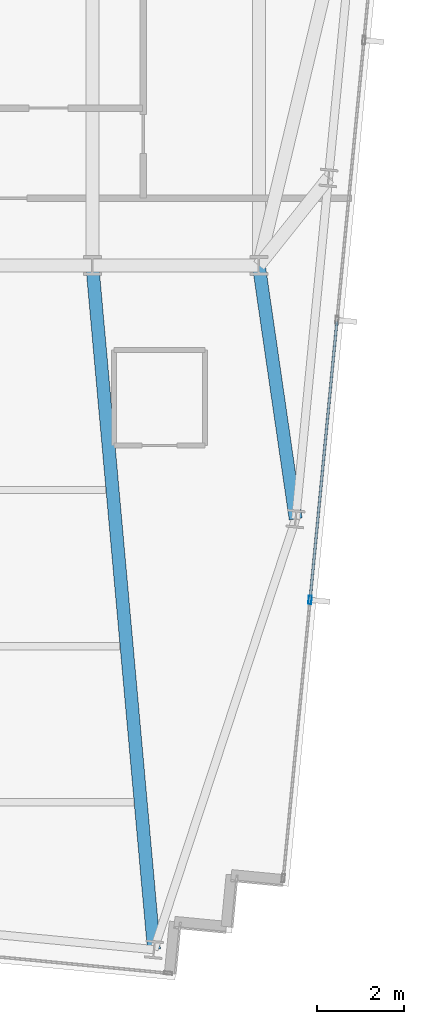
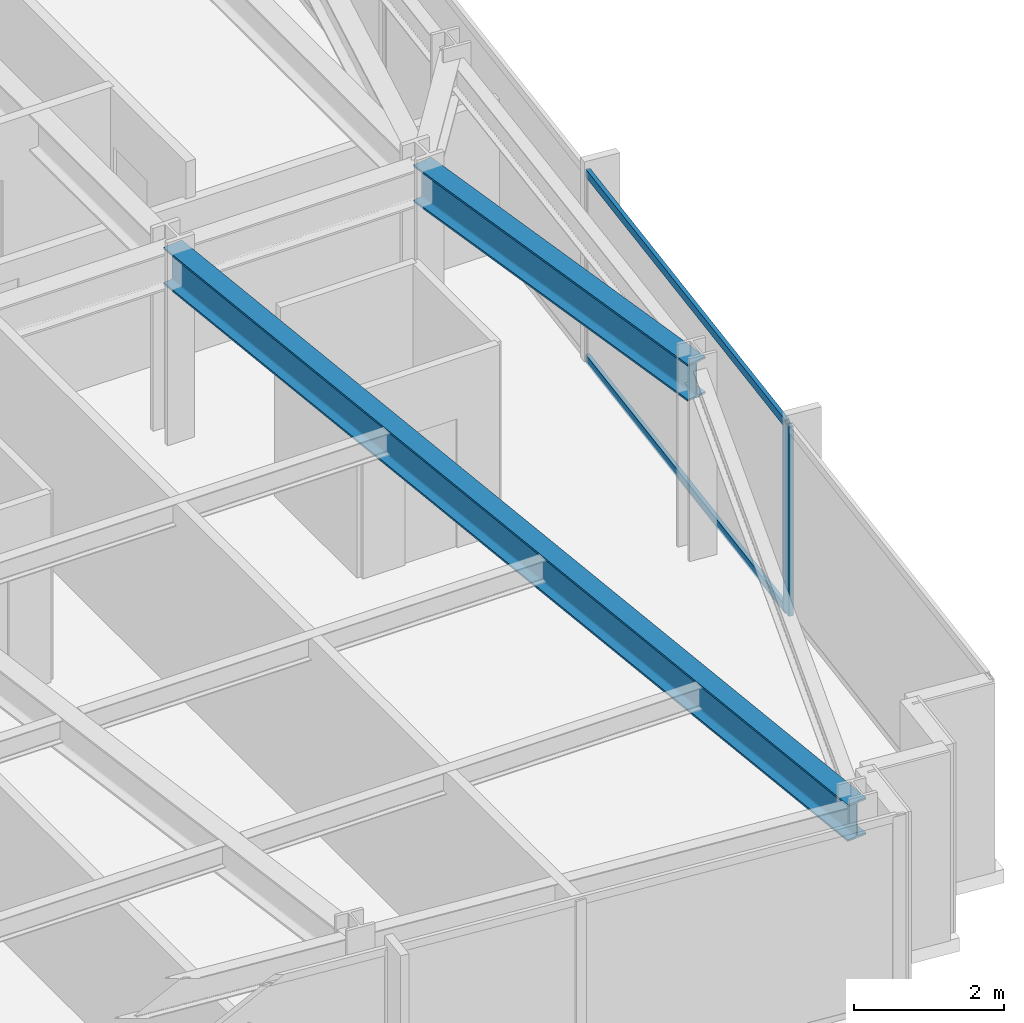
# One storey, part 15 of 37: 3 members, 2 beams, 1 element without a shape of its own.
"""IFC4 building model written with IfcOpenShell, lengths in metres."""

from ifc_helpers import new_model, si_unit, direction, frame, origin, origin_2d, place, context, subcontext, project, spatial, hollow_rectangle, i_section, extrude, material, material_profile, profile_set, type_object, element, aggregate, save


model = new_model("IFC4")

# Units and contexts
model_context = context("Model", 3, precision=1e-05, world=origin(), true_north=direction((0.0, 1.0)))
body_context = subcontext(model_context, "Body", "Model", "MODEL_VIEW")
ifc_project = project(units=[si_unit("LENGTHUNIT", "METRE"), si_unit("AREAUNIT", "SQUARE_METRE"), si_unit("VOLUMEUNIT", "CUBIC_METRE"), si_unit("PLANEANGLEUNIT", "RADIAN"), si_unit("MASSUNIT", "GRAM", prefix="KILO")], contexts=[model_context])

# Site, building, storey
site_placement = place(None, origin())
site = spatial("IfcSite", under=ifc_project, at=site_placement, CompositionType="ELEMENT")
building_placement = place(site_placement, origin())
building = spatial("IfcBuilding", under=site, at=building_placement, Name="Yelkora Congress Tower", CompositionType="ELEMENT")
storey_placement = place(building_placement, frame((0.0, 0.0, 175.39990234375)))
storey = spatial("IfcBuildingStorey", under=building, at=storey_placement, Name="L48", CompositionType="ELEMENT", Elevation=175.39990234375)

# Beams
ifc_material_1 = material(Name="Steel S355J2", Category="steel")
ifc_material_profile_1 = material_profile(ifc_material_1, i_section(OverallWidth=0.300048828125, OverallDepth=0.60009765625, WebThickness=0.015380859375, FlangeThickness=0.030029296875, FilletRadius=0.027099609375, at=origin_2d()), Name="HEB 600")
ifc_profile_set_1 = profile_set([ifc_material_profile_1], Name="Steel S355J2")
beam_type = type_object("IfcBeamType", Name="BM-GIRD-HEB600", PredefinedType="BEAM", material=ifc_profile_set_1)
beam_1_placement = place(storey_placement, frame((55.18212890625, 9.421142578125, 2.780029296875), z_axis=(-0.089764575953, 0.995963011815, 0.0), x_axis=(-0.995963011815, -0.089764575953, 0.0)))
element("IfcBeam", 1, at=beam_1_placement, inside=storey, type_object=beam_type, Name="L48 Primary Frame Girder S08", PredefinedType="BEAM", context=body_context, shape_type="SweptSolid", body=[
    extrude(i_section(OverallWidth=0.300048828125, OverallDepth=0.60009765625, WebThickness=0.015380859375, FlangeThickness=0.030029296875, FilletRadius=0.027099609375, at=origin_2d()), origin(), (0.0, 0.0, 1.0), 15.8427734375),
])
beam_2_placement = place(storey_placement, frame((58.44921875, 19.353759765625, 2.780029296875), z_axis=(-0.143735281382, 0.989616172506, 0.0), x_axis=(-0.989616172506, -0.143735281382, 0.0)))
element("IfcBeam", 2, at=beam_2_placement, inside=storey, type_object=beam_type, Name="L48 Primary Frame Girder E01", PredefinedType="BEAM", context=body_context, shape_type="SweptSolid", body=[
    extrude(i_section(OverallWidth=0.300048828125, OverallDepth=0.60009765625, WebThickness=0.015380859375, FlangeThickness=0.030029296875, FilletRadius=0.027099609375, at=origin_2d()), origin(), (0.0, 0.0, 1.0), 5.907470703125),
])

# Curtain wall, members
ifc_material_2 = material(Name="Anodised aluminium and insulated glass", Category="aluminium")
curtain_wall_type = type_object("IfcCurtainWallType", Name="CW-SYS-B3", PredefinedType="NOTDEFINED", material=ifc_material_2)
curtain_wall_placement = place(storey_placement, origin())
curtain_wall = element("IfcCurtainWall", 3, at=curtain_wall_placement, inside=storey, type_object=curtain_wall_type, Name="L48 Unitised Curtain Wall 15", PredefinedType="NOTDEFINED")
ifc_material_3 = material(Name="Anodised aluminium 6063-T6", Category="aluminium")
ifc_material_profile_2 = material_profile(ifc_material_3, hollow_rectangle(XDim=0.070068359375, YDim=0.18994140625, WallThickness=0.00390625, at=origin_2d()), Name="ALU 70x190x4")
ifc_profile_set_2 = profile_set([ifc_material_profile_2], Name="Anodised aluminium 6063-T6")
member_type_1 = type_object("IfcMemberType", Name="MEM-ML-B3", PredefinedType="MULLION", material=ifc_profile_set_2)
member_1_placement = place(storey_placement, frame((58.78173828125, 17.4873046875, 0.0), z_axis=(0.0, 0.0, 1.0), x_axis=(0.995396565076, -0.095841944023, 0.0)))
member_1 = element("IfcMember", 4, at=member_1_placement, type_object=member_type_1, Name="CW-B3 mullion 5", PredefinedType="MULLION", context=body_context, shape_type="SweptSolid", body=[
    extrude(hollow_rectangle(XDim=0.070068359375, YDim=0.18994140625, WallThickness=0.00390625, at=origin_2d()), origin(), (0.0, 0.0, 1.0), 3.080078125),
])
ifc_material_profile_3 = material_profile(ifc_material_3, hollow_rectangle(XDim=0.06005859375, YDim=0.1298828125, WallThickness=0.00390625, at=origin_2d()), Name="ALU 60x130x4")
ifc_profile_set_3 = profile_set([ifc_material_profile_3], Name="Anodised aluminium 6063-T6")
member_type_2 = type_object("IfcMemberType", Name="MEM-TR-B3", PredefinedType="USERDEFINED", material=ifc_profile_set_3)
member_2_placement = place(storey_placement, frame((59.39990234375, 23.90673828125, 0.030029296875), z_axis=(-0.095843682057, -0.995396397728, 0.0), x_axis=(0.995396397728, -0.095843682057, 0.0)))
member_2 = element("IfcMember", 5, at=member_2_placement, type_object=member_type_2, Name="CW-B3 transom 4.1", ObjectType="TRANSOM", PredefinedType="USERDEFINED", context=body_context, shape_type="SweptSolid", body=[
    extrude(hollow_rectangle(XDim=0.06005859375, YDim=0.1298828125, WallThickness=0.00390625, at=origin_2d()), origin(), (0.0, 0.0, 1.0), 6.4140625),
])
member_3_placement = place(storey_placement, frame((59.39990234375, 23.90673828125, 3.050048828125), z_axis=(-0.095843682057, -0.995396397728, 0.0), x_axis=(0.995396397728, -0.095843682057, 0.0)))
member_3 = element("IfcMember", 6, at=member_3_placement, type_object=member_type_2, Name="CW-B3 transom 4.2", ObjectType="TRANSOM", PredefinedType="USERDEFINED", context=body_context, shape_type="SweptSolid", body=[
    extrude(hollow_rectangle(XDim=0.06005859375, YDim=0.1298828125, WallThickness=0.00390625, at=origin_2d()), origin(), (0.0, 0.0, 1.0), 6.4140625),
])
aggregate(curtain_wall, [member_1, member_2, member_3])

save(model, "model.ifc")
